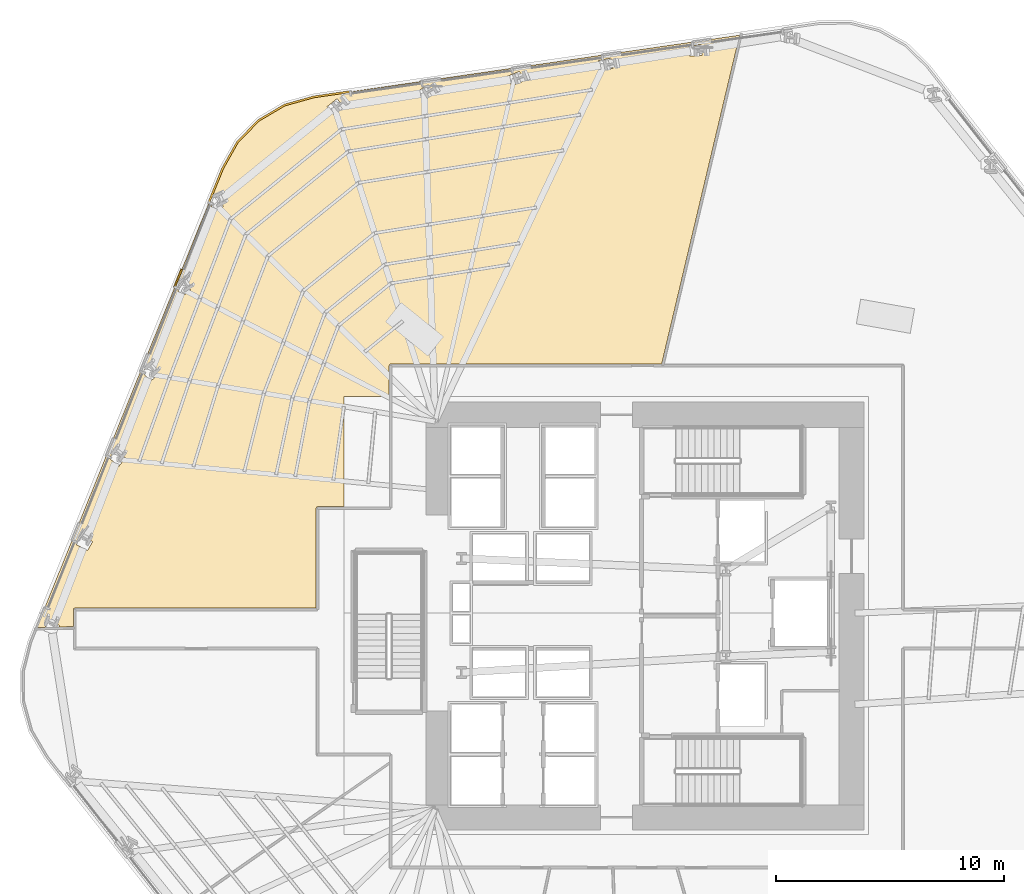
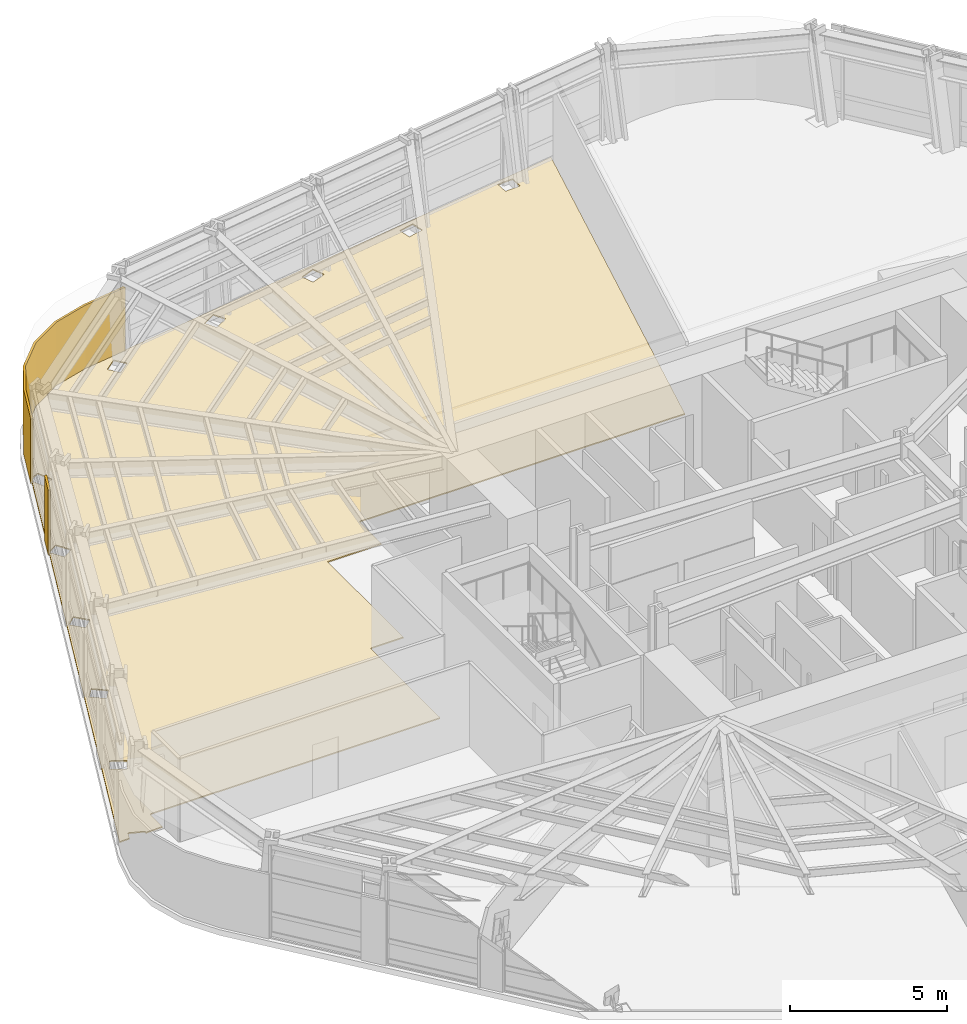
# One storey, part 13 of 16: 3 coverings.
"""IFC4 building model written with IfcOpenShell, lengths in metres."""

import ifcopenshell
import ifcopenshell.guid

model = None  # the IFC model being written
_history = None  # IfcOwnerHistory: only IFC2X3 demands one
_inside = {}  # id of a spatial element -> (the spatial element, [elements in it])
_under = {}  # id of a project, library or spatial element -> (it, [spatial elements below it])
_declared = {}  # id of a project -> (the project, [libraries it declares])
_typed = {}  # id of a type object -> (the type object, [elements of that type])
_made_of = {}  # id of a material, layer set ... -> (it, [elements and type objects made of it])


def new_model(schema):
    """Start an empty IFC model of exactly this schema.

    Asked for "IFC4X3", IfcOpenShell would pick the latest addendum, in which some entities
    have other attributes; the version numbers below select the first issue.
    IFC2X3 requires an IfcOwnerHistory on every rooted entity: one is made here for all.
    """
    global model, _history
    if schema == "IFC4X3":
        model = ifcopenshell.file(schema_version=(4, 3, 0, 0))
    else:
        model = ifcopenshell.file(schema=schema)
    _inside.clear()
    _under.clear()
    _declared.clear()
    _typed.clear()
    _made_of.clear()
    _history = None
    if model.schema == "IFC2X3":
        org = make("IfcOrganization", Name="unknown")
        user = make(
            "IfcPersonAndOrganization",
            ThePerson=make("IfcPerson", FamilyName="unknown"),
            TheOrganization=org,
        )
        app = make(
            "IfcApplication",
            ApplicationDeveloper=org,
            Version="unknown",
            ApplicationFullName="unknown",
            ApplicationIdentifier="unknown",
        )
        _history = make(
            "IfcOwnerHistory",
            OwningUser=user,
            OwningApplication=app,
            ChangeAction="ADDED",
            CreationDate=0,
        )
    return model


def make(cls, **values):
    """One entity of the class cls with the attributes given. An attribute that is None is left unset."""
    return model.create_entity(
        cls, **{name: value for name, value in values.items() if value is not None}
    )


def rooted(cls, **values):
    """An entity with a GlobalId (a new one), such as an element, a storey or a relation."""
    return make(cls, GlobalId=ifcopenshell.guid.new(), OwnerHistory=_history, **values)


def si_unit(unit_type, name, prefix=None):
    """IfcSIUnit, for example si_unit("LENGTHUNIT", "METRE", prefix="MILLI")."""
    return make("IfcSIUnit", UnitType=unit_type, Prefix=prefix, Name=name)


def assignment(units):
    """IfcUnitAssignment: the units of a project."""
    return None if units is None else make("IfcUnitAssignment", Units=units)


def point(xyz):
    """IfcCartesianPoint."""
    return None if xyz is None else make("IfcCartesianPoint", Coordinates=xyz)


def direction(xyz):
    """IfcDirection."""
    return None if xyz is None else make("IfcDirection", DirectionRatios=xyz)


def frame(location, z_axis=None, x_axis=None):
    """IfcAxis2Placement3D, a coordinate frame: its origin and axes. An axis left out is left unset."""
    return make(
        "IfcAxis2Placement3D",
        Location=point(location),
        Axis=direction(z_axis),
        RefDirection=direction(x_axis),
    )


def origin():
    """The frame at (0, 0, 0) with its axes left unset."""
    return frame((0.0, 0.0, 0.0))


def place(relative_to, where):
    """IfcLocalPlacement: puts the frame where relative to a parent placement (None: the world)."""
    return make(
        "IfcLocalPlacement", PlacementRelTo=relative_to, RelativePlacement=where
    )


def context(
    kind, dimensions, precision=None, world=None, true_north=None, identifier=None
):
    """IfcGeometricRepresentationContext, for example the 3D "Model" context."""
    return make(
        "IfcGeometricRepresentationContext",
        ContextIdentifier=identifier,
        ContextType=kind,
        CoordinateSpaceDimension=dimensions,
        Precision=precision,
        WorldCoordinateSystem=world,
        TrueNorth=true_north,
    )


def subcontext(parent, identifier, kind, view, scale=None):
    """IfcGeometricRepresentationSubContext, for example "Body" below "Model"."""
    return make(
        "IfcGeometricRepresentationSubContext",
        ContextIdentifier=identifier,
        ContextType=kind,
        ParentContext=parent,
        TargetScale=scale,
        TargetView=view,
    )


def project(units=None, contexts=None):
    """IfcProject with its units and contexts."""
    return rooted(
        "IfcProject",
        Name="project",
        RepresentationContexts=contexts,
        UnitsInContext=assignment(units),
    )


def spatial(cls, under=None, at=None, **own):
    """A site, building, storey or space (cls), placed at a placement, below another one or the project."""
    s = rooted(cls, ObjectPlacement=at, **own)
    if under is not None:
        _under.setdefault(under.id(), (under, []))[1].append(s)
    return s


def polyline(points):
    """IfcPolyline through the points."""
    return make("IfcPolyline", Points=[point(p) for p in points])


def outline(outer, holes=None, kind="AREA"):
    """IfcArbitraryClosedProfileDef: a profile drawn as a closed curve; with holes, ...WithVoids."""
    if holes is None:
        return make("IfcArbitraryClosedProfileDef", ProfileType=kind, OuterCurve=outer)
    return make(
        "IfcArbitraryProfileDefWithVoids",
        ProfileType=kind,
        OuterCurve=outer,
        InnerCurves=holes,
    )


def extrude(swept, where, along, depth):
    """IfcExtrudedAreaSolid: the profile swept, set in the frame where, extruded along a direction by depth."""
    return make(
        "IfcExtrudedAreaSolid",
        SweptArea=swept,
        Position=where,
        ExtrudedDirection=direction(along),
        Depth=depth,
    )


def shape(context_of_items, identifier, shape_type, items):
    """IfcShapeRepresentation: the items that make up one representation, for example the "Body"."""
    return make(
        "IfcShapeRepresentation",
        ContextOfItems=context_of_items,
        RepresentationIdentifier=identifier,
        RepresentationType=shape_type,
        Items=items,
    )


def material(Name=None, Category=None):
    """IfcMaterial."""
    return make("IfcMaterial", Name=Name, Category=Category)


def layer(
    of_material, thickness, ventilated=None, Name=None, Category=None, Priority=None
):
    """IfcMaterialLayer: one layer of a wall or slab, of a material (None: an air gap)."""
    return make(
        "IfcMaterialLayer",
        Material=of_material,
        LayerThickness=thickness,
        IsVentilated=ventilated,
        Name=Name,
        Category=Category,
        Priority=Priority,
    )


def layer_set(layers, Name=None):
    """IfcMaterialLayerSet."""
    return make("IfcMaterialLayerSet", MaterialLayers=layers, LayerSetName=Name)


def made_of(thing, what):
    """Note that an element or type object is made of a material, layer set ...; save() writes the relation."""
    if what is not None:
        _made_of.setdefault(what.id(), (what, []))[1].append(thing)
    return thing


def type_object(cls, material=None, **own):
    """A type object (cls), such as IfcWallType, which elements share."""
    return made_of(rooted(cls, **own), material)


def element(
    cls,
    number,
    at=None,
    inside=None,
    cuts=None,
    type_object=None,
    material=None,
    context=None,
    identifier="Body",
    shape_type=None,
    held_by="IfcProductDefinitionShape",
    body=None,
    shapes=None,
    **own,
):
    """One element of the class cls, such as IfcWall. Its Tag is "e" and its number.

    at: its placement. inside: the storey or other place that contains it. cuts: it is an
    opening in that element (IfcRelVoidsElement). A single representation is given by context,
    identifier, shape_type and body (its items); several are given by shapes. held_by: the class
    of the entity that holds the representations. save() writes the other relations.
    """
    e = rooted(cls, Tag="e%d" % number, ObjectPlacement=at, **own)
    if body is not None:
        shapes = [shape(context, identifier, shape_type, body)]
    if shapes is not None:
        e.Representation = make(held_by, Representations=shapes)
    if inside is not None:
        _inside.setdefault(inside.id(), (inside, []))[1].append(e)
    if cuts is not None:
        rooted(
            "IfcRelVoidsElement", RelatingBuildingElement=cuts, RelatedOpeningElement=e
        )
    if type_object is not None:
        _typed.setdefault(type_object.id(), (type_object, []))[1].append(e)
    return made_of(e, material)


def aggregate(whole, parts):
    """IfcRelAggregates: a whole, such as a stair, and the parts it consists of."""
    return rooted("IfcRelAggregates", RelatingObject=whole, RelatedObjects=parts)


def save(model, path):
    """Write the relations noted so far, then the file.

    IfcRelAggregates (storeys below a building ...), IfcRelContainedInSpatialStructure (elements
    in a storey), IfcRelDefinesByType, IfcRelAssociatesMaterial and IfcRelDeclares: one each for
    every whole, place, type object, material and project.
    """
    for whole, parts in _under.values():
        aggregate(whole, parts)
    for where, things in _inside.values():
        rooted(
            "IfcRelContainedInSpatialStructure",
            RelatedElements=things,
            RelatingStructure=where,
        )
    for kind, things in _typed.values():
        rooted("IfcRelDefinesByType", RelatedObjects=things, RelatingType=kind)
    for what, things in _made_of.values():
        rooted("IfcRelAssociatesMaterial", RelatedObjects=things, RelatingMaterial=what)
    for by, libraries in _declared.values():
        rooted("IfcRelDeclares", RelatingContext=by, RelatedDefinitions=libraries)
    model.write(path)


model = new_model("IFC4")

# Units and contexts
model_context = context("Model", 3, precision=1e-05, world=origin(), true_north=direction((0.0, 1.0)))
body_context = subcontext(model_context, "Body", "Model", "MODEL_VIEW")
ifc_project = project(units=[si_unit("LENGTHUNIT", "METRE"), si_unit("AREAUNIT", "SQUARE_METRE"), si_unit("VOLUMEUNIT", "CUBIC_METRE"), si_unit("PLANEANGLEUNIT", "RADIAN"), si_unit("MASSUNIT", "GRAM", prefix="KILO")], contexts=[model_context])

# Site, building, storey
site_placement = place(None, origin())
site = spatial("IfcSite", under=ifc_project, at=site_placement, CompositionType="ELEMENT")
building_placement = place(site_placement, origin())
building = spatial("IfcBuilding", under=site, at=building_placement, Name="Valkerne Bourse Tower", CompositionType="ELEMENT")
storey_placement = place(building_placement, frame((0.0, 0.0, 58.199951171875)))
storey = spatial("IfcBuildingStorey", under=building, at=storey_placement, Name="L14", CompositionType="ELEMENT", Elevation=58.199951171875)

# Coverings
ifc_material_1 = material(Name="Bronze Anodised Aluminium AA 6063-T6", Category="aluminium")
ifc_layer_1 = layer(ifc_material_1, 0.06005859375)
ifc_layer_set_1 = layer_set([ifc_layer_1], Name="Bronze Anodised Aluminium AA 6063-T6")
covering_type_1 = type_object("IfcCoveringType", Name="COV-CRN-ALUM", PredefinedType="CLADDING", material=ifc_layer_set_1)
covering_1_placement = place(storey_placement, origin())
element("IfcCovering", 1, at=covering_1_placement, inside=storey, type_object=covering_type_1, Name="L14 Wind-Shaped Corner Aluminium Cladding 15", PredefinedType="CLADDING", context=body_context, shape_type="SweptSolid", body=[
    extrude(outline(polyline([(26.452880859375, 42.09228515625), (26.527099609375, 42.0625), (26.211669921875, 41.283935546875), (26.137451171875, 41.313720703125), (26.452880859375, 42.09228515625)])), origin(), (0.0, 0.0, 1.0), 2.5),
])
covering_2_placement = place(storey_placement, origin())
element("IfcCovering", 2, at=covering_2_placement, inside=storey, type_object=covering_type_1, Name="L14 Wind-Shaped Corner Aluminium Cladding 16", PredefinedType="CLADDING", context=body_context, shape_type="SweptSolid", body=[
    extrude(outline(polyline([(28.24658203125, 46.52001953125), (28.903564453125, 47.685302734375), (29.834716796875, 48.636474609375), (30.980712890625, 49.314208984375), (32.269287109375, 49.674072265625), (33.87353515625, 49.90673828125), (33.884765625, 49.827392578125), (32.285888671875, 49.595458984375), (31.01220703125, 49.239990234375), (29.884521484375, 48.572998046875), (28.968017578125, 47.636962890625), (28.31884765625, 46.485107421875), (27.712158203125, 44.987548828125), (27.637939453125, 45.017333984375), (28.24658203125, 46.52001953125)])), origin(), (0.0, 0.0, 1.0), 2.5),
])
ifc_material_2 = material(Name="Galvanised Painted Steel", Category="steel")
ifc_layer_2 = layer(ifc_material_2, 0.044921875)
ifc_layer_set_2 = layer_set([ifc_layer_2], Name="Galvanised Painted Steel")
covering_type_2 = type_object("IfcCoveringType", Name="COV-FLR-RAF", PredefinedType="FLOORING", material=ifc_layer_set_2)
covering_3_placement = place(storey_placement, origin())
element("IfcCovering", 3, at=covering_3_placement, inside=storey, type_object=covering_type_2, Name="L14 Floor Finish 07", PredefinedType="FLOORING", context=body_context, shape_type="SweptSolid", body=[
    extrude(outline(polyline([(29.8623046875, 48.6015625), (30.998046875, 49.273193359375), (32.2783203125, 49.630859375), (50.94580078125, 52.339111328125), (47.527587890625, 37.9189453125), (35.649658203125, 37.9189453125), (35.620849609375, 37.91259765625), (35.591064453125, 37.885986328125), (35.5810546875, 37.8505859375), (35.5810546875, 36.5), (33.60009765625, 36.5), (33.60009765625, 31.6689453125), (32.449462890625, 31.6689453125), (32.419921875, 31.662109375), (32.39404296875, 31.640625), (32.381103515625, 31.6005859375), (32.381103515625, 27.218994140625), (21.79541015625, 27.218994140625), (21.7529296875, 27.200927734375), (21.731201171875, 27.154541015625), (21.73095703125, 26.41259765625), (21.10009765625, 26.39501953125), (21.124267578125, 26.4580078125), (21.1240234375, 26.461669921875), (20.603759765625, 26.657958984375), (20.496826171875, 26.378173828125), (20.1298828125, 26.367919921875), (26.203857421875, 41.3603515625), (26.502197265625, 40.896484375), (26.88623046875, 41.1416015625), (26.88818359375, 41.144287109375), (26.58740234375, 41.6123046875), (26.20751953125, 41.369873046875), (27.70068359375, 45.05517578125), (27.889892578125, 44.634033203125), (28.305908203125, 44.81884765625), (28.30859375, 44.821533203125), (28.080810546875, 45.328857421875), (27.75244140625, 45.18310546875), (28.286376953125, 46.500732421875), (28.93896484375, 47.65869140625), (29.8623046875, 48.6015625)]), holes=[polyline([(22.57763671875, 30.133056640625), (22.578125, 30.13671875), (22.093017578125, 30.408447265625), (21.868896484375, 30.01171875), (21.868408203125, 30.00830078125), (22.353515625, 29.736572265625), (22.57763671875, 30.133056640625)]), polyline([(24.0244140625, 33.80615234375), (23.589111328125, 34.15234375), (23.30419921875, 33.796630859375), (23.30322265625, 33.793212890625), (23.738525390625, 33.447021484375), (24.0234375, 33.802734375), (24.0244140625, 33.80615234375)]), polyline([(25.45947265625, 37.470458984375), (25.4609375, 37.4736328125), (25.0888671875, 37.88720703125), (24.7490234375, 37.58349609375), (24.74755859375, 37.580322265625), (25.11962890625, 37.1669921875), (25.45947265625, 37.470458984375)]), polyline([(33.15625, 48.8525390625), (33.584716796875, 49.202880859375), (33.295654296875, 49.5576171875), (33.29248046875, 49.5556640625), (32.864013671875, 49.205322265625), (33.15283203125, 48.8505859375), (33.15625, 48.8525390625)]), polyline([(37.052490234375, 49.48291015625), (37.52880859375, 49.765380859375), (37.295654296875, 50.1591796875), (37.29248046875, 50.157958984375), (36.816162109375, 49.875244140625), (37.04931640625, 49.4814453125), (37.052490234375, 49.48291015625)]), polyline([(40.94775390625, 50.12255859375), (41.46337890625, 50.324951171875), (41.296875, 50.751220703125), (41.29345703125, 50.750244140625), (40.77783203125, 50.5478515625), (40.9443359375, 50.121826171875), (40.94775390625, 50.12255859375)]), polyline([(45.388427734375, 50.885986328125), (45.29443359375, 51.333740234375), (45.291015625, 51.33349609375), (44.7490234375, 51.218994140625), (44.843017578125, 50.771240234375), (44.846435546875, 50.771484375), (45.388427734375, 50.885986328125)]), polyline([(49.3056640625, 51.452880859375), (49.284912109375, 51.909912109375), (49.28125, 51.910400390625), (48.72802734375, 51.884521484375), (48.748779296875, 51.42724609375), (48.75244140625, 51.427001953125), (49.3056640625, 51.452880859375)])]), origin(), (0.0, 0.0, 1.0), 0.045166015625),
])

save(model, "model.ifc")
